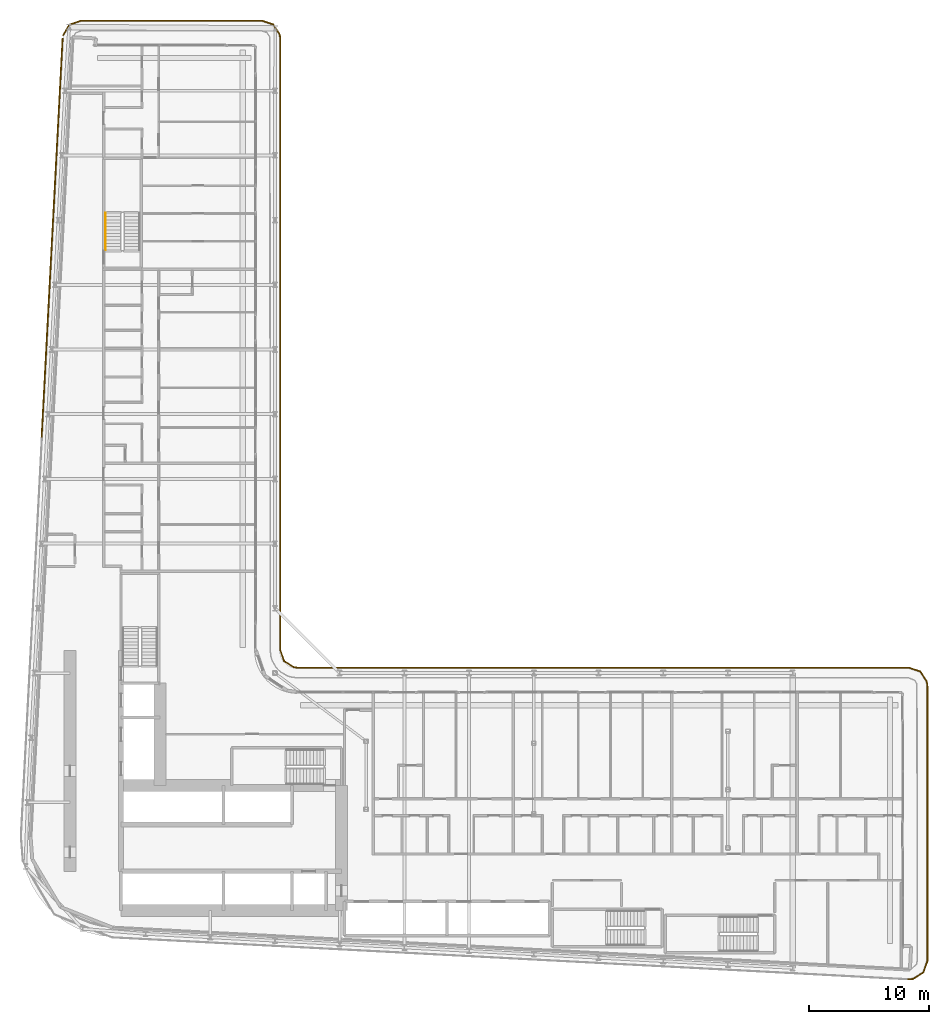
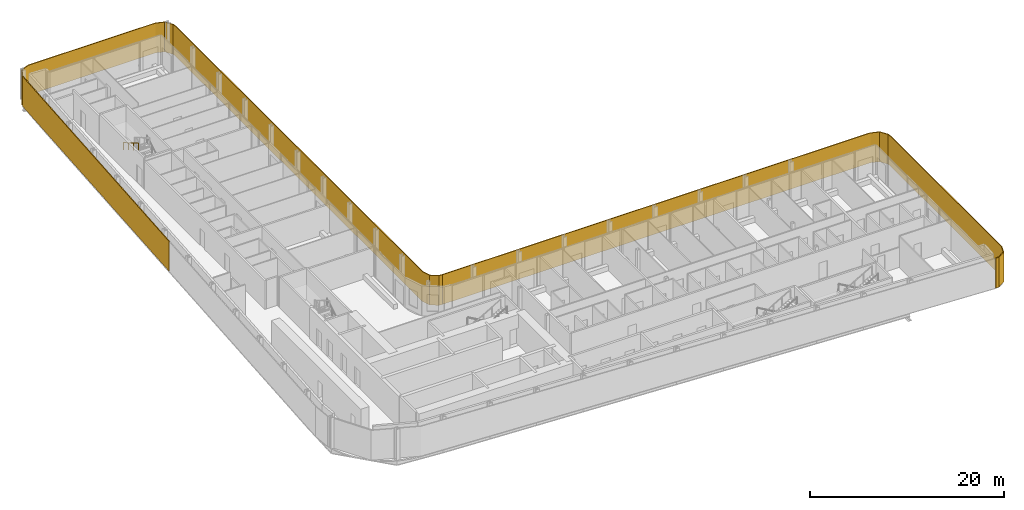
# One storey, part 26 of 28: 3 shading devices, 1 railing.
"""IFC4 building model written with IfcOpenShell, lengths in metres."""

from ifc_helpers import new_model, si_unit, direction, frame, origin, origin_2d, place, context, subcontext, project, spatial, polyline, rectangle, circle, outline, extrude, material, layer, layer_set, type_object, element, save


model = new_model("IFC4")

# Units and contexts
model_context = context("Model", 3, precision=1e-05, world=origin(), true_north=direction((0.0, 1.0)))
body_context = subcontext(model_context, "Body", "Model", "MODEL_VIEW")
ifc_project = project(units=[si_unit("LENGTHUNIT", "METRE"), si_unit("AREAUNIT", "SQUARE_METRE"), si_unit("VOLUMEUNIT", "CUBIC_METRE"), si_unit("PLANEANGLEUNIT", "RADIAN"), si_unit("MASSUNIT", "GRAM", prefix="KILO")], contexts=[model_context])

# Site, building, storey
site_placement = place(None, origin())
site = spatial("IfcSite", under=ifc_project, at=site_placement, CompositionType="ELEMENT")
building_placement = place(site_placement, origin())
building = spatial("IfcBuilding", under=site, at=building_placement, Name="Kheshtan School and Residences Tower", CompositionType="ELEMENT")
storey_placement = place(building_placement, frame((0.0, 0.0, 73.39990234375)))
storey = spatial("IfcBuildingStorey", under=building, at=storey_placement, Name="L17", CompositionType="ELEMENT", Elevation=73.39990234375)

# Shading devices
ifc_material_1 = material(Name="Terracotta baguette, extruded ceramic", Category="masonry")
ifc_layer_1 = layer(ifc_material_1, 0.10009765625)
ifc_layer_set_1 = layer_set([ifc_layer_1], Name="Ledge screen, terracotta baguettes")
shading_device_type_1 = type_object("IfcShadingDeviceType", Name="Ledge screen, terracotta baguettes", PredefinedType="USERDEFINED", material=ifc_layer_set_1)
shading_device_1_placement = place(storey_placement, frame((28.9990234375, 81.93408203125, 0.0), z_axis=(0.0, 0.0, 1.0), x_axis=(0.052562536748, 0.998617634398, 0.0)))
element("IfcShadingDevice", 1, at=shading_device_1_placement, inside=storey, type_object=shading_device_type_1, Name="Screen L17 5", ObjectType="BAGUETTE", PredefinedType="USERDEFINED", context=body_context, shape_type="SweptSolid", body=[
    extrude(rectangle(XDim=33.341064453125, YDim=0.10009765625, at=origin_2d()), origin(), (0.0, 0.0, 1.0), 3.75),
])
ifc_material_2 = material(Name="Terracotta lattice, extruded ceramic", Category="masonry")
ifc_layer_2 = layer(ifc_material_2, 0.10009765625)
ifc_layer_set_2 = layer_set([ifc_layer_2], Name="Loggia screen, terracotta lattice")
shading_device_type_2 = type_object("IfcShadingDeviceType", Name="Loggia screen, terracotta lattice", PredefinedType="USERDEFINED", material=ifc_layer_set_2)
shading_device_2_placement = place(storey_placement, origin())
element("IfcShadingDevice", 2, at=shading_device_2_placement, inside=storey, type_object=shading_device_type_2, Name="Screen L17 1", ObjectType="SCREEN", PredefinedType="USERDEFINED", context=body_context, shape_type="SweptSolid", body=[
    extrude(outline(polyline([(29.949951171875, 98.783935546875), (30.468017578125, 99.656982421875), (31.423095703125, 100.0), (46.5, 100.0), (47.4130859375, 99.68994140625), (47.948974609375, 98.887939453125), (48.0, 98.5), (48.0, 47.5), (48.31005859375, 46.5869140625), (49.112060546875, 46.051025390625), (49.5, 46.0), (49.512939453125, 46.09912109375), (49.14794921875, 46.14697265625), (48.39404296875, 46.65087890625), (48.10009765625, 47.51708984375), (48.10009765625, 98.507080078125), (48.044921875, 98.924072265625), (47.47705078125, 99.77392578125), (46.51708984375, 100.10009765625), (31.406005859375, 100.10009765625), (30.39990234375, 99.739013671875), (29.864013671875, 98.8349609375), (29.949951171875, 98.783935546875)])), origin(), (0.0, 0.0, 1.0), 3.75),
])
shading_device_3_placement = place(storey_placement, origin())
element("IfcShadingDevice", 3, at=shading_device_3_placement, inside=storey, type_object=shading_device_type_2, Name="Screen L17 2", ObjectType="SCREEN", PredefinedType="USERDEFINED", context=body_context, shape_type="SweptSolid", body=[
    extrude(outline(polyline([(49.5, 46.0), (100.5, 46.0), (101.4130859375, 45.68994140625), (101.948974609375, 44.887939453125), (102.0, 44.5), (102.0, 21.5810546875), (101.669921875, 20.64208984375), (100.823974609375, 20.116943359375), (100.4208984375, 20.0830078125), (100.428955078125, 19.98291015625), (100.85595703125, 20.01904296875), (101.7529296875, 20.575927734375), (102.10009765625, 21.56396484375), (102.10009765625, 44.507080078125), (102.044921875, 44.924072265625), (101.47705078125, 45.77392578125), (100.51708984375, 46.10009765625), (49.5, 46.10009765625), (49.5, 46.0)])), origin(), (0.0, 0.0, 1.0), 3.75),
])

# Railing
ifc_material_3 = material(Name="Stainless steel handrail", Category="steel")
railing_type = type_object("IfcRailingType", Name="Stair handrail 900", PredefinedType="HANDRAIL", material=ifc_material_3)
railing_placement = place(storey_placement, frame((33.449951171875, 83.97998046875, 2.112548828125)))
element("IfcRailing", 4, at=railing_placement, inside=storey, type_object=railing_type, Name="L17 ST3 stair handrail 2", PredefinedType="HANDRAIL", context=body_context, shape_type="SweptSolid", body=[
    extrude(circle(Radius=0.02392578125, at=origin_2d()), frame((0.0, 0.0, 0.8759765625), z_axis=(0.0, -0.864890721111, 0.501960198159), x_axis=(1.0, 0.0, 0.0)), (0.0, 0.0, 1.0), 3.561279296875),
    extrude(circle(Radius=0.02099609375, at=origin_2d()), origin(), (0.0, 0.0, 1.0), 0.851806640625),
    extrude(circle(Radius=0.02099609375, at=origin_2d()), frame((0.0, -1.026611328125, 0.595947265625)), (0.0, 0.0, 1.0), 0.851806640625),
    extrude(circle(Radius=0.02099609375, at=origin_2d()), frame((0.0, -2.053466796875, 1.191650390625)), (0.0, 0.0, 1.0), 0.851806640625),
    extrude(circle(Radius=0.02099609375, at=origin_2d()), frame((0.0, -3.080078125, 1.78759765625)), (0.0, 0.0, 1.0), 0.851806640625),
])

save(model, "model.ifc")
